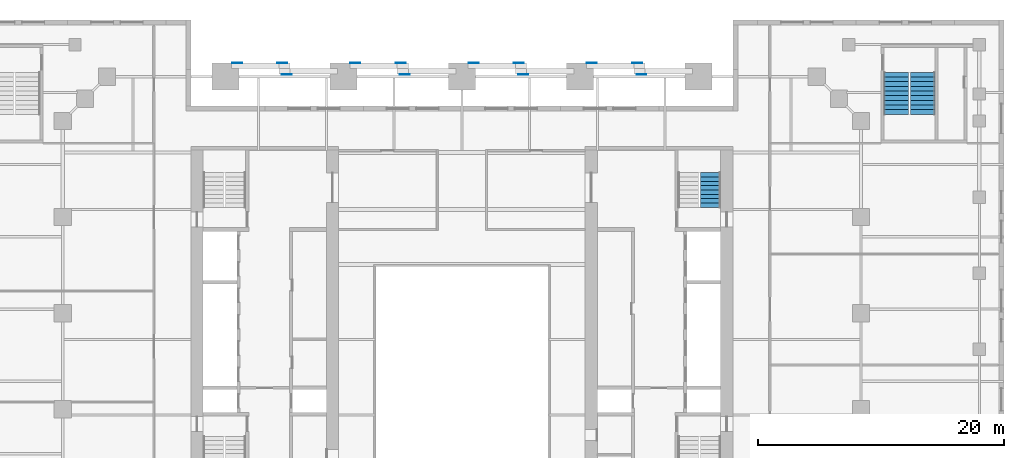
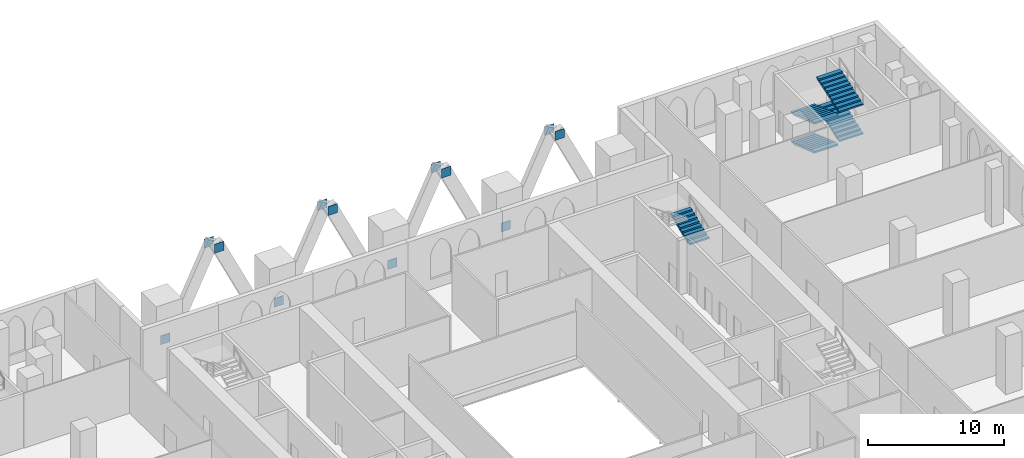
# One storey, part 20 of 22: 12 discrete accessories, 5 stair flights, 2 elements without a shape of their own.
"""IFC4 building model written with IfcOpenShell, lengths in metres."""

from ifc_helpers import new_model, si_unit, direction, frame, origin, origin_2d, place, context, subcontext, project, spatial, polyline, rectangle, outline, extrude, material, material_profile, profile_set, type_object, element, aggregate, save


model = new_model("IFC4")

# Units and contexts
model_context = context("Model", 3, precision=1e-05, world=origin(), true_north=direction((0.0, 1.0)))
body_context = subcontext(model_context, "Body", "Model", "MODEL_VIEW")
ifc_project = project(units=[si_unit("LENGTHUNIT", "METRE"), si_unit("AREAUNIT", "SQUARE_METRE"), si_unit("VOLUMEUNIT", "CUBIC_METRE"), si_unit("PLANEANGLEUNIT", "RADIAN"), si_unit("MASSUNIT", "GRAM", prefix="KILO")], contexts=[model_context])

# Site, building, storey
site_placement = place(None, origin())
site = spatial("IfcSite", under=ifc_project, at=site_placement, CompositionType="ELEMENT")
building_placement = place(site_placement, origin())
building = spatial("IfcBuilding", under=site, at=building_placement, Name="Ogive Exchange Tower", CompositionType="ELEMENT")
storey_placement = place(building_placement, frame((0.0, 0.0, 14.0)))
storey = spatial("IfcBuildingStorey", under=building, at=storey_placement, Name="L02", CompositionType="ELEMENT", Elevation=14.0)

# Stair, stair flight
ifc_material_1 = material(Name="Concrete C40/50", Category="concrete")
stair_type_1 = type_object("IfcStairType", Name="Exit stair 1650 wide", PredefinedType="HALF_TURN_STAIR", material=ifc_material_1)
stair_1_placement = place(storey_placement, origin())
stair_1 = element("IfcStair", 1, at=stair_1_placement, inside=storey, type_object=stair_type_1, Name="L02 exit stair ST4", PredefinedType="HALF_TURN_STAIR")
stair_flight_type_1 = type_object("IfcStairFlightType", Name="Stair flight 1650 wide", PredefinedType="STRAIGHT", material=ifc_material_1)
stair_flight_1_placement = place(storey_placement, frame((20.175048828125, 20.800048828125, 2.60009765625), z_axis=(0.0, 0.0, 1.0), x_axis=(0.0, 1.0, 0.0)))
stair_flight_1 = element("IfcStairFlight", 2, at=stair_flight_1_placement, type_object=stair_flight_type_1, Name="ST4 flight 3", NumberOfRisers=9, NumberOfTreads=8, PredefinedType="STRAIGHT", RiserHeight=0.144444444, TreadLength=0.351, context=body_context, shape_type="SweptSolid", body=[
    extrude(outline(polyline([(0.0, 0.0), (0.0, 0.14453125), (0.35107421875, 0.14453125), (0.35107421875, 0.288818359375), (0.701904296875, 0.288818359375), (0.701904296875, 0.433349609375), (1.052978515625, 0.433349609375), (1.052978515625, 0.577880859375), (1.404052734375, 0.577880859375), (1.404052734375, 0.72216796875), (1.7548828125, 0.72216796875), (1.7548828125, 0.86669921875), (2.10595703125, 0.86669921875), (2.10595703125, 1.01123046875), (2.45703125, 1.01123046875), (2.45703125, 1.155517578125), (2.80810546875, 1.155517578125), (2.80810546875, 1.300048828125), (2.80810546875, 0.993408203125), (0.393798828125, 0.0), (0.0, 0.0)])), frame((0.0, 0.824951171875, 0.0), z_axis=(0.0, -1.0, 0.0), x_axis=(1.0, 0.0, 0.0)), (0.0, 0.0, 1.0), 1.64990234375),
])
aggregate(stair_1, [stair_flight_1])

# Stair, stair flights
stair_type_2 = type_object("IfcStairType", Name="Exit stair 2000 wide", PredefinedType="HALF_TURN_STAIR", material=ifc_material_1)
stair_2_placement = place(storey_placement, origin())
stair_2 = element("IfcStair", 3, at=stair_2_placement, inside=storey, type_object=stair_type_2, Name="L02 exit stair PS4", PredefinedType="HALF_TURN_STAIR")
stair_flight_type_2 = type_object("IfcStairFlightType", Name="Stair flight 2000 wide", PredefinedType="STRAIGHT", material=ifc_material_1)
stair_flight_2_placement = place(storey_placement, frame((35.25, 31.75, 0.0), z_axis=(0.0, 0.0, 1.0), x_axis=(0.0, -1.0, 0.0)))
stair_flight_2 = element("IfcStairFlight", 4, at=stair_flight_2_placement, type_object=stair_flight_type_2, Name="PS4 flight 1", NumberOfRisers=10, NumberOfTreads=9, PredefinedType="STRAIGHT", RiserHeight=0.13, TreadLength=0.378, context=body_context, shape_type="SweptSolid", body=[
    extrude(outline(polyline([(0.0, 0.0), (0.0, 0.1298828125), (0.3779296875, 0.1298828125), (0.3779296875, 0.260009765625), (0.756103515625, 0.260009765625), (0.756103515625, 0.389892578125), (1.134033203125, 0.389892578125), (1.134033203125, 0.52001953125), (1.511962890625, 0.52001953125), (1.511962890625, 0.64990234375), (1.889892578125, 0.64990234375), (1.889892578125, 0.780029296875), (2.26806640625, 0.780029296875), (2.26806640625, 0.909912109375), (2.64599609375, 0.909912109375), (2.64599609375, 1.0400390625), (3.02392578125, 1.0400390625), (3.02392578125, 1.169921875), (3.402099609375, 1.169921875), (3.402099609375, 1.300048828125), (3.402099609375, 1.011474609375), (0.4609375, 0.0), (0.0, 0.0)])), frame((0.0, 1.0, 0.0), z_axis=(0.0, -1.0, 0.0), x_axis=(1.0, 0.0, 0.0)), (0.0, 0.0, 1.0), 2.0),
])
stair_flight_3_placement = place(storey_placement, frame((37.39990234375, 28.347900390625, 1.300048828125), z_axis=(0.0, 0.0, 1.0), x_axis=(0.0, 1.0, 0.0)))
stair_flight_3 = element("IfcStairFlight", 5, at=stair_flight_3_placement, type_object=stair_flight_type_2, Name="PS4 flight 2", NumberOfRisers=10, NumberOfTreads=9, PredefinedType="STRAIGHT", RiserHeight=0.13, TreadLength=0.378, context=body_context, shape_type="SweptSolid", body=[
    extrude(outline(polyline([(0.0, 0.0), (0.0, 0.1298828125), (0.3779296875, 0.1298828125), (0.3779296875, 0.260009765625), (0.756103515625, 0.260009765625), (0.756103515625, 0.389892578125), (1.134033203125, 0.389892578125), (1.134033203125, 0.52001953125), (1.511962890625, 0.52001953125), (1.511962890625, 0.64990234375), (1.889892578125, 0.64990234375), (1.889892578125, 0.780029296875), (2.26806640625, 0.780029296875), (2.26806640625, 0.909912109375), (2.64599609375, 0.909912109375), (2.64599609375, 1.0400390625), (3.02392578125, 1.0400390625), (3.02392578125, 1.169921875), (3.402099609375, 1.169921875), (3.402099609375, 1.300048828125), (3.402099609375, 1.011474609375), (0.4609375, 0.0), (0.0, 0.0)])), frame((0.0, 1.0, 0.0), z_axis=(0.0, -1.0, 0.0), x_axis=(1.0, 0.0, 0.0)), (0.0, 0.0, 1.0), 2.0),
])
stair_flight_4_placement = place(storey_placement, frame((35.25, 31.75, 2.60009765625), z_axis=(0.0, 0.0, 1.0), x_axis=(0.0, -1.0, 0.0)))
stair_flight_4 = element("IfcStairFlight", 6, at=stair_flight_4_placement, type_object=stair_flight_type_2, Name="PS4 flight 3", NumberOfRisers=10, NumberOfTreads=9, PredefinedType="STRAIGHT", RiserHeight=0.13, TreadLength=0.378, context=body_context, shape_type="SweptSolid", body=[
    extrude(outline(polyline([(0.0, 0.0), (0.0, 0.1298828125), (0.3779296875, 0.1298828125), (0.3779296875, 0.260009765625), (0.756103515625, 0.260009765625), (0.756103515625, 0.389892578125), (1.134033203125, 0.389892578125), (1.134033203125, 0.52001953125), (1.511962890625, 0.52001953125), (1.511962890625, 0.64990234375), (1.889892578125, 0.64990234375), (1.889892578125, 0.780029296875), (2.26806640625, 0.780029296875), (2.26806640625, 0.909912109375), (2.64599609375, 0.909912109375), (2.64599609375, 1.0400390625), (3.02392578125, 1.0400390625), (3.02392578125, 1.169921875), (3.402099609375, 1.169921875), (3.402099609375, 1.300048828125), (3.402099609375, 1.011474609375), (0.4609375, 0.0), (0.0, 0.0)])), frame((0.0, 1.0, 0.0), z_axis=(0.0, -1.0, 0.0), x_axis=(1.0, 0.0, 0.0)), (0.0, 0.0, 1.0), 2.0),
])
stair_flight_5_placement = place(storey_placement, frame((37.39990234375, 28.347900390625, 3.89990234375), z_axis=(0.0, 0.0, 1.0), x_axis=(0.0, 1.0, 0.0)))
stair_flight_5 = element("IfcStairFlight", 7, at=stair_flight_5_placement, type_object=stair_flight_type_2, Name="PS4 flight 4", NumberOfRisers=10, NumberOfTreads=9, PredefinedType="STRAIGHT", RiserHeight=0.13, TreadLength=0.378, context=body_context, shape_type="SweptSolid", body=[
    extrude(outline(polyline([(0.0, 0.0), (0.0, 0.1298828125), (0.3779296875, 0.1298828125), (0.3779296875, 0.260009765625), (0.756103515625, 0.260009765625), (0.756103515625, 0.389892578125), (1.134033203125, 0.389892578125), (1.134033203125, 0.52001953125), (1.511962890625, 0.52001953125), (1.511962890625, 0.64990234375), (1.889892578125, 0.64990234375), (1.889892578125, 0.780029296875), (2.26806640625, 0.780029296875), (2.26806640625, 0.909912109375), (2.64599609375, 0.909912109375), (2.64599609375, 1.0400390625), (3.02392578125, 1.0400390625), (3.02392578125, 1.169921875), (3.402099609375, 1.169921875), (3.402099609375, 1.300048828125), (3.402099609375, 1.011474609375), (0.4609375, 0.0), (0.0, 0.0)])), frame((0.0, 1.0, 0.0), z_axis=(0.0, -1.0, 0.0), x_axis=(1.0, 0.0, 0.0)), (0.0, 0.0, 1.0), 2.0),
])
aggregate(stair_2, [stair_flight_2, stair_flight_3, stair_flight_4, stair_flight_5])

# Discrete accessories
ifc_material_2 = material(Name="Steel ASTM A572 Gr50", Category="steel")
ifc_material_profile = material_profile(ifc_material_2, rectangle(XDim=0.800048828125, YDim=0.800048828125, at=origin_2d()), Name="PL 800 x 800 x 25")
ifc_profile_set = profile_set([ifc_material_profile], Name="Steel ASTM A572 Gr50")
discrete_accessory_type = type_object("IfcDiscreteAccessoryType", Name="Gusset plate 800 x 800 x 25", PredefinedType="USERDEFINED", material=ifc_profile_set)
discrete_accessory_1_placement = place(storey_placement, frame((-14.573486328125, 32.5, 7.6396484375), z_axis=(0.0, 1.0, 0.0), x_axis=(-1.0, 0.0, 0.0)))
element("IfcDiscreteAccessory", 8, at=discrete_accessory_1_placement, inside=storey, type_object=discrete_accessory_type, Name="Entrance arch 1 rib 1 apex plate", ObjectType="GUSSET PLATE", PredefinedType="USERDEFINED", context=body_context, shape_type="SweptSolid", body=[
    extrude(rectangle(XDim=0.800048828125, YDim=0.800048828125, at=origin_2d()), origin(), (0.0, 0.0, 1.0), 0.02490234375),
])
discrete_accessory_2_placement = place(storey_placement, frame((-14.2265625, 31.60009765625, 7.6396484375), z_axis=(0.0, -1.0, 0.0), x_axis=(1.0, 0.0, 0.0)))
element("IfcDiscreteAccessory", 9, at=discrete_accessory_2_placement, inside=storey, type_object=discrete_accessory_type, Name="Entrance arch 1 rib 2 apex plate", ObjectType="GUSSET PLATE", PredefinedType="USERDEFINED", context=body_context, shape_type="SweptSolid", body=[
    extrude(rectangle(XDim=0.800048828125, YDim=0.800048828125, at=origin_2d()), origin(), (0.0, 0.0, 1.0), 0.025146484375),
])
for number, where, z_axis, x_axis, name in (
    (10, (-18.25, 32.5, 0.300048828125), (0.0, 1.0, 0.0), (-1.0, 0.0, 0.0), "Entrance arch 1 rib 1 springing plate"),
    (11, (-4.973388671875, 32.5, 7.6396484375), (0.0, 1.0, 0.0), (-1.0, 0.0, 0.0), "Entrance arch 2 rib 1 apex plate"),
):
    element("IfcDiscreteAccessory", number, at=place(storey_placement, frame(where, z_axis=z_axis, x_axis=x_axis)), inside=storey, type_object=discrete_accessory_type, Name=name, ObjectType="GUSSET PLATE", PredefinedType="USERDEFINED", context=body_context, shape_type="SweptSolid", body=[
        extrude(rectangle(XDim=0.800048828125, YDim=0.800048828125, at=origin_2d()), origin(), (0.0, 0.0, 1.0), 0.02490234375),
    ])
discrete_accessory_3_placement = place(storey_placement, frame((-4.62646484375, 31.60009765625, 7.6396484375), z_axis=(0.0, -1.0, 0.0), x_axis=(1.0, 0.0, 0.0)))
element("IfcDiscreteAccessory", 12, at=discrete_accessory_3_placement, inside=storey, type_object=discrete_accessory_type, Name="Entrance arch 2 rib 2 apex plate", ObjectType="GUSSET PLATE", PredefinedType="USERDEFINED", context=body_context, shape_type="SweptSolid", body=[
    extrude(rectangle(XDim=0.800048828125, YDim=0.800048828125, at=origin_2d()), origin(), (0.0, 0.0, 1.0), 0.025146484375),
])
for number, where, z_axis, x_axis, name in (
    (13, (-8.64990234375, 32.5, 0.300048828125), (0.0, 1.0, 0.0), (-1.0, 0.0, 0.0), "Entrance arch 2 rib 1 springing plate"),
    (14, (4.62646484375, 32.5, 7.6396484375), (0.0, 1.0, 0.0), (-1.0, 0.0, 0.0), "Entrance arch 3 rib 1 apex plate"),
):
    element("IfcDiscreteAccessory", number, at=place(storey_placement, frame(where, z_axis=z_axis, x_axis=x_axis)), inside=storey, type_object=discrete_accessory_type, Name=name, ObjectType="GUSSET PLATE", PredefinedType="USERDEFINED", context=body_context, shape_type="SweptSolid", body=[
        extrude(rectangle(XDim=0.800048828125, YDim=0.800048828125, at=origin_2d()), origin(), (0.0, 0.0, 1.0), 0.02490234375),
    ])
discrete_accessory_4_placement = place(storey_placement, frame((4.973388671875, 31.60009765625, 7.6396484375), z_axis=(0.0, -1.0, 0.0), x_axis=(1.0, 0.0, 0.0)))
element("IfcDiscreteAccessory", 15, at=discrete_accessory_4_placement, inside=storey, type_object=discrete_accessory_type, Name="Entrance arch 3 rib 2 apex plate", ObjectType="GUSSET PLATE", PredefinedType="USERDEFINED", context=body_context, shape_type="SweptSolid", body=[
    extrude(rectangle(XDim=0.800048828125, YDim=0.800048828125, at=origin_2d()), origin(), (0.0, 0.0, 1.0), 0.025146484375),
])
for number, where, z_axis, x_axis, name in (
    (16, (0.949951171875, 32.5, 0.300048828125), (0.0, 1.0, 0.0), (-1.0, 0.0, 0.0), "Entrance arch 3 rib 1 springing plate"),
    (17, (14.2265625, 32.5, 7.6396484375), (0.0, 1.0, 0.0), (-1.0, 0.0, 0.0), "Entrance arch 4 rib 1 apex plate"),
):
    element("IfcDiscreteAccessory", number, at=place(storey_placement, frame(where, z_axis=z_axis, x_axis=x_axis)), inside=storey, type_object=discrete_accessory_type, Name=name, ObjectType="GUSSET PLATE", PredefinedType="USERDEFINED", context=body_context, shape_type="SweptSolid", body=[
        extrude(rectangle(XDim=0.800048828125, YDim=0.800048828125, at=origin_2d()), origin(), (0.0, 0.0, 1.0), 0.02490234375),
    ])
discrete_accessory_5_placement = place(storey_placement, frame((14.573486328125, 31.60009765625, 7.6396484375), z_axis=(0.0, -1.0, 0.0), x_axis=(1.0, 0.0, 0.0)))
element("IfcDiscreteAccessory", 18, at=discrete_accessory_5_placement, inside=storey, type_object=discrete_accessory_type, Name="Entrance arch 4 rib 2 apex plate", ObjectType="GUSSET PLATE", PredefinedType="USERDEFINED", context=body_context, shape_type="SweptSolid", body=[
    extrude(rectangle(XDim=0.800048828125, YDim=0.800048828125, at=origin_2d()), origin(), (0.0, 0.0, 1.0), 0.025146484375),
])
discrete_accessory_6_placement = place(storey_placement, frame((10.550048828125, 32.5, 0.300048828125), z_axis=(0.0, 1.0, 0.0), x_axis=(-1.0, 0.0, 0.0)))
element("IfcDiscreteAccessory", 19, at=discrete_accessory_6_placement, inside=storey, type_object=discrete_accessory_type, Name="Entrance arch 4 rib 1 springing plate", ObjectType="GUSSET PLATE", PredefinedType="USERDEFINED", context=body_context, shape_type="SweptSolid", body=[
    extrude(rectangle(XDim=0.800048828125, YDim=0.800048828125, at=origin_2d()), origin(), (0.0, 0.0, 1.0), 0.02490234375),
])

save(model, "model.ifc")
